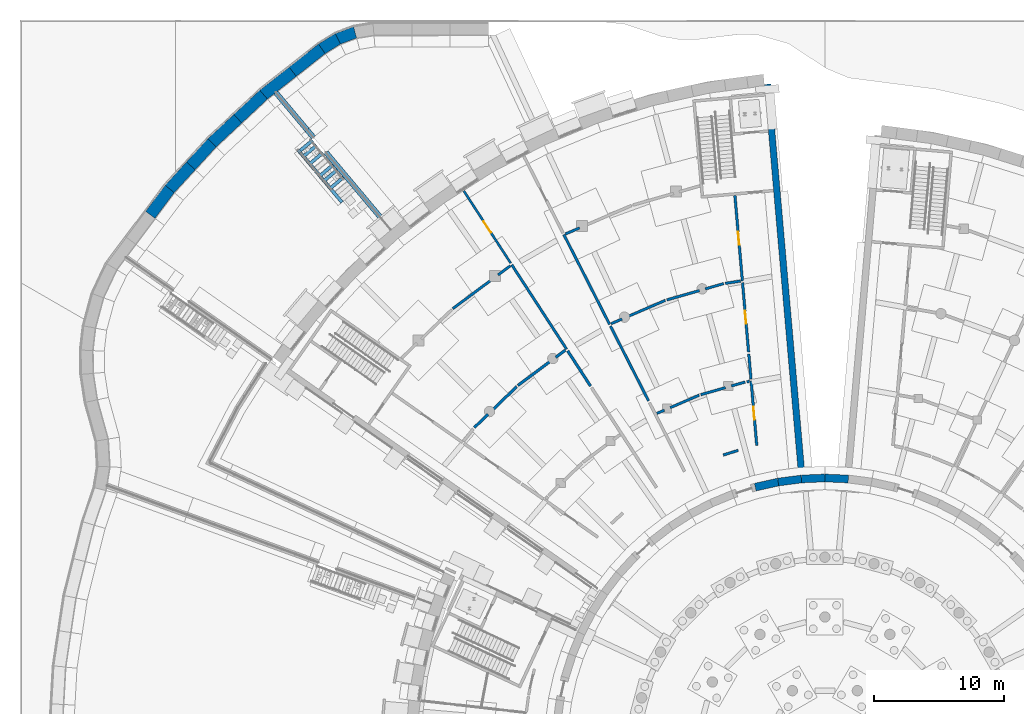
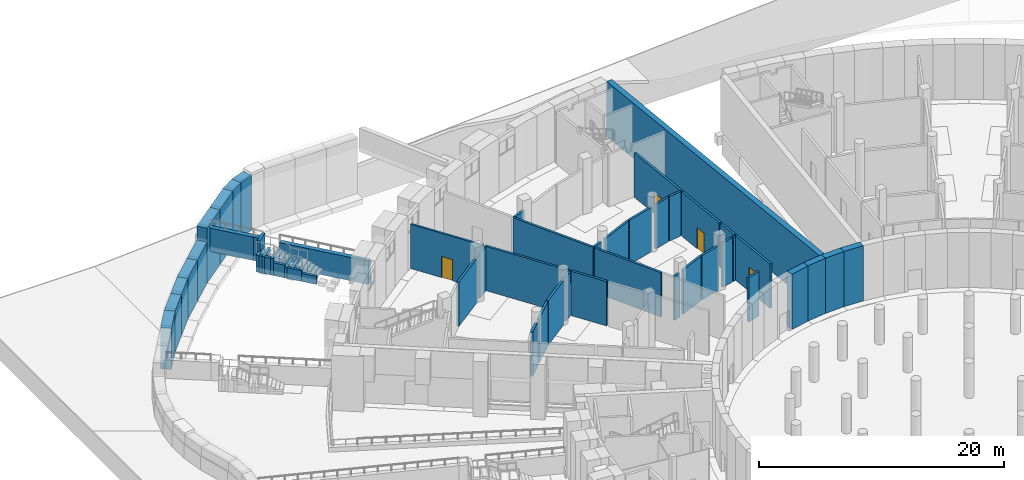
# One storey, part 45 of 65: 55 walls, 4 doors, 4 openings.
"""IFC4 building model written with IfcOpenShell, lengths in metres."""

from ifc_helpers import new_model, si_unit, direction, frame, frame_2d, origin, place, context, subcontext, project, spatial, polyline, rectangle, outline, extrude, material, layer, layer_set, type_object, element, fill, save


model = new_model("IFC4")

# Units and contexts
model_context = context("Model", 3, precision=1e-05, world=origin(), true_north=direction((0.0, 1.0)))
body_context = subcontext(model_context, "Body", "Model", "MODEL_VIEW")
ifc_project = project(units=[si_unit("LENGTHUNIT", "METRE"), si_unit("AREAUNIT", "SQUARE_METRE"), si_unit("VOLUMEUNIT", "CUBIC_METRE"), si_unit("PLANEANGLEUNIT", "RADIAN"), si_unit("MASSUNIT", "GRAM", prefix="KILO")], contexts=[model_context])

# Site, building, storey
site_placement = place(None, origin())
site = spatial("IfcSite", under=ifc_project, at=site_placement, CompositionType="ELEMENT")
building_placement = place(site_placement, origin())
building = spatial("IfcBuilding", under=site, at=building_placement, Name="Volute Hill Aquarium", CompositionType="ELEMENT")
storey_placement = place(building_placement, frame((0.0, 0.0, -5.5)))
storey = spatial("IfcBuildingStorey", under=building, at=storey_placement, Name="L00", CompositionType="ELEMENT", Elevation=-5.5)

# Wall, opening, door
ifc_material_1 = material(Name="Gypsum board on steel studs", Category="steel")
ifc_layer_1 = layer(ifc_material_1, 0.175048828125)
ifc_layer_set_1 = layer_set([ifc_layer_1], Name="Corridor partition 175 EI 60")
wall_type_1 = type_object("IfcWallType", Name="Corridor partition 175 EI 60", PredefinedType="PARTITIONING", material=ifc_layer_set_1)
wall_1_placement = place(storey_placement, frame((-24.181884765625, 37.237060546875, 0.0), z_axis=(0.0, 0.0, 1.0), x_axis=(-0.544656624654, 0.838659144838, 0.0)))
wall_1 = element("IfcWall", 1, at=wall_1_placement, inside=storey, type_object=wall_type_1, Name="pw/S6/L00/005", PredefinedType="PARTITIONING", context=body_context, shape_type="SweptSolid", body=[
    extrude(rectangle(XDim=6.623291015625, YDim=0.175048828125, at=frame_2d((3.3115234375, 0.0))), origin(), (0.0, 0.0, 1.0), 4.409912109375),
])
opening_1_placement = place(wall_1_placement, frame((2.811767578125, 0.0, 0.0)))
opening_1 = element("IfcOpeningElement", 2, at=opening_1_placement, cuts=wall_1, Name="Opening D6.00.08", PredefinedType="OPENING", context=body_context, shape_type="SweptSolid", body=[
    extrude(rectangle(XDim=1.0, YDim=2.10009765625, at=frame_2d((0.5, 1.050048828125))), frame((0.0, 0.097412109375, 0.0), z_axis=(0.0, -1.0, 0.0), x_axis=(1.0, 0.0, 0.0)), (0.0, 0.0, 1.0), 0.195068359375),
])
ifc_material_2 = material(Name="Timber, fire-rated", Category="wood")
door_type_1 = type_object("IfcDoorType", Name="Door 1000 x 2100 single EI1 30", OperationType="SINGLE_SWING_LEFT", PredefinedType="DOOR", material=ifc_material_2)
door_1_placement = place(opening_1_placement, origin())
door_1 = element("IfcDoor", 3, at=door_1_placement, inside=storey, type_object=door_type_1, Name="d/S6/L00/08", OperationType="SINGLE_SWING_RIGHT", OverallHeight=2.10009765625, OverallWidth=1.0, PredefinedType="DOOR", context=body_context, shape_type="SweptSolid", body=[
    extrude(rectangle(XDim=1.0, YDim=2.10009765625, at=frame_2d((0.5, 1.050048828125))), frame((0.0, 0.02490234375, 0.0), z_axis=(0.0, -1.0, 0.0), x_axis=(1.0, 0.0, 0.0)), (0.0, 0.0, 1.0), 0.050048828125),
])
fill(opening_1, door_1)

# Walls
ifc_material_3 = material(Name="Concrete C35/45", Category="concrete")
ifc_layer_2 = layer(ifc_material_3, 0.60009765625)
ifc_layer_set_2 = layer_set([ifc_layer_2], Name="Drum wall C35/45 600")
wall_type_2 = type_object("IfcWallType", Name="Drum wall C35/45 600", PredefinedType="SHEAR", material=ifc_layer_set_2)
for number, where, z_axis, x_axis, name in (
    (4, (1.80419921875, 20.62109375, 0.0), (0.0, 0.0, 1.0), (-0.999046184291, 0.043666024022, 0.0), "sw/DR/L00/17"),
    (5, (0.0, 20.699951171875, 0.0), (0.0, 0.0, 1.0), (-0.999046184291, -0.043666024022, 0.0), "sw/DR/L00/18"),
):
    element("IfcWall", number, at=place(storey_placement, frame(where, z_axis=z_axis, x_axis=x_axis)), inside=storey, type_object=wall_type_2, Name=name, PredefinedType="SHEAR", context=body_context, shape_type="SweptSolid", body=[
        extrude(rectangle(XDim=1.805908203125, YDim=0.60009765625, at=frame_2d((0.90283203125, 0.0))), origin(), (0.0, 0.0, 1.0), 5.5),
    ])
wall_2_placement = place(storey_placement, frame((-1.80419921875, 20.62109375, 0.0), z_axis=(0.0, 0.0, 1.0), x_axis=(-0.991451994433, -0.130471999813, 0.0)))
element("IfcWall", 6, at=wall_2_placement, inside=storey, type_object=wall_type_2, Name="sw/DR/L00/19", PredefinedType="SHEAR", context=body_context, shape_type="SweptSolid", body=[
    extrude(rectangle(XDim=1.8056640625, YDim=0.60009765625, at=frame_2d((0.90283203125, 0.0))), origin(), (0.0, 0.0, 1.0), 5.5),
])
wall_3_placement = place(storey_placement, frame((-3.594482421875, 20.385498046875, 0.0), z_axis=(0.0, 0.0, 1.0), x_axis=(-0.976298259567, -0.216429453554, 0.0)))
element("IfcWall", 7, at=wall_3_placement, inside=storey, type_object=wall_type_2, Name="sw/DR/L00/20", PredefinedType="SHEAR", context=body_context, shape_type="SweptSolid", body=[
    extrude(rectangle(XDim=1.805908203125, YDim=0.60009765625, at=frame_2d((0.90283203125, 0.0))), origin(), (0.0, 0.0, 1.0), 5.5),
])
ifc_material_4 = material(Name="Concrete C35/45", Category="concrete")
ifc_layer_3 = layer(ifc_material_4, 0.5)
ifc_layer_set_3 = layer_set([ifc_layer_3], Name="End wall 500 C35/45")
wall_type_3 = type_object("IfcWallType", Name="End wall 500 C35/45", PredefinedType="SHEAR", material=ifc_layer_set_3)
wall_4_placement = place(storey_placement, frame((-1.771728515625, 20.82470703125, 0.0), z_axis=(0.0, 0.0, 1.0), x_axis=(-0.087157054987, 0.996194583285, 0.0)))
element("IfcWall", 8, at=wall_4_placement, inside=storey, type_object=wall_type_3, Name="sw/S6/L00/endA", PredefinedType="SHEAR", context=body_context, shape_type="SweptSolid", body=[
    extrude(rectangle(XDim=30.300048828125, YDim=0.5, at=frame_2d((15.14990234375, 0.0))), origin(), (0.0, 0.0, 1.0), 5.5),
])
ifc_material_5 = material(Name="Masonry blockwork", Category="masonry")
ifc_layer_4 = layer(ifc_material_5, 0.199951171875)
ifc_layer_set_4 = layer_set([ifc_layer_4], Name="Fire partition 200 EI 60")
wall_type_4 = type_object("IfcWallType", Name="Fire partition 200 EI 60", PredefinedType="PARTITIONING", material=ifc_layer_set_4)
wall_5_placement = place(storey_placement, frame((-19.87939453125, 30.611572265625, 0.0), z_axis=(0.0, 0.0, 1.0), x_axis=(-0.544649472572, 0.838663789624, 0.0)))
element("IfcWall", 9, at=wall_5_placement, inside=storey, type_object=wall_type_4, Name="pw/S6/L00/002", PredefinedType="PARTITIONING", context=body_context, shape_type="SweptSolid", body=[
    extrude(rectangle(XDim=7.749755859375, YDim=0.199951171875, at=frame_2d((3.875, 0.0))), origin(), (0.0, 0.0, 1.0), 4.409912109375),
])
wall_6_placement = place(storey_placement, frame((-20.089111328125, 39.427001953125, 0.0), z_axis=(0.0, 0.0, 1.0), x_axis=(0.454005059644, -0.890999105397, 0.0)))
element("IfcWall", 10, at=wall_6_placement, inside=storey, type_object=wall_type_4, Name="pw/S6/L00/003", PredefinedType="PARTITIONING", context=body_context, shape_type="SweptSolid", body=[
    extrude(rectangle(XDim=7.75, YDim=0.199951171875, at=frame_2d((3.875, 0.0))), origin(), (0.0, 0.0, 1.0), 4.409912109375),
])
wall_7_placement = place(storey_placement, frame((-13.56884765625, 26.630615234375, 0.0), z_axis=(0.0, 0.0, 1.0), x_axis=(-0.454031618181, 0.890985572101, 0.0)))
element("IfcWall", 11, at=wall_7_placement, inside=storey, type_object=wall_type_4, Name="pw/S6/L00/006", PredefinedType="PARTITIONING", context=body_context, shape_type="SweptSolid", body=[
    extrude(rectangle(XDim=6.461669921875, YDim=0.199951171875, at=frame_2d((3.23095703125, 0.0))), origin(), (0.0, 0.0, 1.0), 4.409912109375),
])

# Wall, opening, door
wall_8_placement = place(storey_placement, frame((-6.35107421875, 35.8779296875, 0.0), z_axis=(0.0, 0.0, 1.0), x_axis=(-0.087183992952, 0.996192226115, 0.0)))
wall_8 = element("IfcWall", 12, at=wall_8_placement, inside=storey, type_object=wall_type_4, Name="pw/S6/L00/008", PredefinedType="PARTITIONING", context=body_context, shape_type="SweptSolid", body=[
    extrude(rectangle(XDim=6.5751953125, YDim=0.199951171875, at=frame_2d((3.28759765625, 0.0))), origin(), (0.0, 0.0, 1.0), 4.409912109375),
])
opening_2_placement = place(wall_8_placement, frame((2.78759765625, 0.0, 0.0)))
opening_2 = element("IfcOpeningElement", 13, at=opening_2_placement, cuts=wall_8, Name="Opening D6.00.03", PredefinedType="OPENING", context=body_context, shape_type="SweptSolid", body=[
    extrude(rectangle(XDim=1.0, YDim=2.10009765625, at=frame_2d((0.5, 1.050048828125))), frame((0.0, 0.10986328125, 0.0), z_axis=(0.0, -1.0, 0.0), x_axis=(1.0, 0.0, 0.0)), (0.0, 0.0, 1.0), 0.219970703125),
])
door_2_placement = place(opening_2_placement, origin())
door_2 = element("IfcDoor", 14, at=door_2_placement, inside=storey, type_object=door_type_1, Name="d/S6/L00/03", OperationType="SINGLE_SWING_LEFT", OverallHeight=2.10009765625, OverallWidth=1.0, PredefinedType="DOOR", context=body_context, shape_type="SweptSolid", body=[
    extrude(rectangle(XDim=1.0, YDim=2.10009765625, at=frame_2d((0.5, 1.050048828125))), frame((0.0, 0.02490234375, 0.0), z_axis=(0.0, -1.0, 0.0), x_axis=(1.0, 0.0, 0.0)), (0.0, 0.0, 1.0), 0.050048828125),
])
fill(opening_2, door_2)

wall_9_placement = place(storey_placement, frame((-5.87158203125, 30.396728515625, 0.0), z_axis=(0.0, 0.0, 1.0), x_axis=(-0.087125642308, 0.996197331081, 0.0)))
wall_9 = element("IfcWall", 15, at=wall_9_placement, inside=storey, type_object=wall_type_4, Name="pw/S6/L00/010", PredefinedType="PARTITIONING", context=body_context, shape_type="SweptSolid", body=[
    extrude(rectangle(XDim=5.35205078125, YDim=0.199951171875, at=frame_2d((2.676025390625, 0.0))), origin(), (0.0, 0.0, 1.0), 4.409912109375),
])
opening_3_placement = place(wall_9_placement, frame((2.176025390625, 0.0, 0.0)))
opening_3 = element("IfcOpeningElement", 16, at=opening_3_placement, cuts=wall_9, Name="Opening D6.00.02", PredefinedType="OPENING", context=body_context, shape_type="SweptSolid", body=[
    extrude(rectangle(XDim=1.0, YDim=2.10009765625, at=frame_2d((0.5, 1.050048828125))), frame((0.0, 0.10986328125, 0.0), z_axis=(0.0, -1.0, 0.0), x_axis=(1.0, 0.0, 0.0)), (0.0, 0.0, 1.0), 0.219970703125),
])
door_3_placement = place(opening_3_placement, origin())
door_3 = element("IfcDoor", 17, at=door_3_placement, inside=storey, type_object=door_type_1, Name="d/S6/L00/02", OperationType="SINGLE_SWING_RIGHT", OverallHeight=2.10009765625, OverallWidth=1.0, PredefinedType="DOOR", context=body_context, shape_type="SweptSolid", body=[
    extrude(rectangle(XDim=1.0, YDim=2.10009765625, at=frame_2d((0.5, 1.050048828125))), frame((0.0, 0.02490234375, 0.0), z_axis=(0.0, -1.0, 0.0), x_axis=(1.0, 0.0, 0.0)), (0.0, 0.0, 1.0), 0.050048828125),
])
fill(opening_3, door_3)

wall_10_placement = place(storey_placement, frame((-5.2421875, 23.202392578125, 0.0), z_axis=(0.0, 0.0, 1.0), x_axis=(-0.087171821309, 0.996193291269, 0.0)))
wall_10 = element("IfcWall", 18, at=wall_10_placement, inside=storey, type_object=wall_type_4, Name="pw/S6/L00/012", PredefinedType="PARTITIONING", context=body_context, shape_type="SweptSolid", body=[
    extrude(rectangle(XDim=4.97412109375, YDim=0.199951171875, at=frame_2d((2.487060546875, 0.0))), origin(), (0.0, 0.0, 1.0), 4.409912109375),
])
opening_4_placement = place(wall_10_placement, frame((1.987060546875, 0.0, 0.0)))
opening_4 = element("IfcOpeningElement", 19, at=opening_4_placement, cuts=wall_10, Name="Opening D6.00.01", PredefinedType="OPENING", context=body_context, shape_type="SweptSolid", body=[
    extrude(rectangle(XDim=1.0, YDim=2.39990234375, at=frame_2d((0.5, 1.199951171875))), frame((0.0, 0.10986328125, 0.0), z_axis=(0.0, -1.0, 0.0), x_axis=(1.0, 0.0, 0.0)), (0.0, 0.0, 1.0), 0.219970703125),
])
ifc_material_6 = material(Name="Steel, fire-rated", Category="steel")
door_type_2 = type_object("IfcDoorType", Name="Door 1000 x 2400 laboratory EI1 30", OperationType="SINGLE_SWING_LEFT", PredefinedType="DOOR", material=ifc_material_6)
door_4_placement = place(opening_4_placement, origin())
door_4 = element("IfcDoor", 20, at=door_4_placement, inside=storey, type_object=door_type_2, Name="d/S6/L00/01", OperationType="SINGLE_SWING_LEFT", OverallHeight=2.39990234375, OverallWidth=1.0, PredefinedType="DOOR", context=body_context, shape_type="SweptSolid", body=[
    extrude(rectangle(XDim=1.0, YDim=2.39990234375, at=frame_2d((0.5, 1.199951171875))), frame((0.0, 0.02490234375, 0.0), z_axis=(0.0, -1.0, 0.0), x_axis=(1.0, 0.0, 0.0)), (0.0, 0.0, 1.0), 0.050048828125),
])
fill(opening_4, door_4)

# Walls
wall_11_placement = place(storey_placement, frame((-28.64013671875, 33.7314453125, 0.0), z_axis=(0.0, 0.0, 1.0), x_axis=(0.802142294319, 0.597132932992, 0.0)))
element("IfcWall", 21, at=wall_11_placement, inside=storey, type_object=wall_type_4, Name="pw/S6/L00/014", PredefinedType="PARTITIONING", context=body_context, shape_type="SweptSolid", body=[
    extrude(rectangle(XDim=3.88818359375, YDim=0.199951171875, at=frame_2d((1.944091796875, 0.0))), origin(), (0.0, 0.0, 1.0), 4.409912109375),
])
wall_12_placement = place(storey_placement, frame((-15.188720703125, 33.117919921875, 0.0), z_axis=(0.0, 0.0, 1.0), x_axis=(0.918224420865, 0.396060491501, 0.0)))
element("IfcWall", 22, at=wall_12_placement, inside=storey, type_object=wall_type_4, Name="pw/S6/L00/019", PredefinedType="PARTITIONING", context=body_context, shape_type="SweptSolid", body=[
    extrude(rectangle(XDim=3.16357421875, YDim=0.199951171875, at=frame_2d((1.581787109375, 0.0))), origin(), (0.0, 0.0, 1.0), 4.409912109375),
])
wall_13_placement = place(storey_placement, frame((-12.1591796875, 34.406494140625, 0.0), z_axis=(0.0, 0.0, 1.0), x_axis=(0.961251857381, 0.275671664633, 0.0)))
element("IfcWall", 23, at=wall_13_placement, inside=storey, type_object=wall_type_4, Name="pw/S6/L00/021", PredefinedType="PARTITIONING", context=body_context, shape_type="SweptSolid", body=[
    extrude(rectangle(XDim=2.61181640625, YDim=0.199951171875, at=frame_2d((1.305908203125, 0.0))), origin(), (0.0, 0.0, 1.0), 4.409912109375),
])
wall_14_placement = place(storey_placement, frame((-11.915771484375, 26.106689453125, 0.0), z_axis=(0.0, 0.0, 1.0), x_axis=(0.918205503365, 0.396104346847, 0.0)))
element("IfcWall", 24, at=wall_14_placement, inside=storey, type_object=wall_type_4, Name="pw/S6/L00/024", PredefinedType="PARTITIONING", context=body_context, shape_type="SweptSolid", body=[
    extrude(rectangle(XDim=2.439453125, YDim=0.199951171875, at=frame_2d((1.2197265625, 0.0))), origin(), (0.0, 0.0, 1.0), 4.409912109375),
])
wall_15_placement = place(storey_placement, frame((-5.688720703125, 28.306884765625, 0.0), z_axis=(0.0, 0.0, 1.0), x_axis=(-0.087110975906, 0.996198613669, 0.0)))
element("IfcWall", 25, at=wall_15_placement, inside=storey, type_object=wall_type_4, Name="pw/S6/L00/026", PredefinedType="PARTITIONING", context=body_context, shape_type="SweptSolid", body=[
    extrude(rectangle(XDim=1.94775390625, YDim=0.199951171875, at=frame_2d((0.973876953125, 0.0))), origin(), (0.0, 0.0, 1.0), 4.409912109375),
])
wall_16_placement = place(storey_placement, frame((-9.55078125, 27.108642578125, 0.0), z_axis=(0.0, 0.0, 1.0), x_axis=(0.961262549372, 0.275634379522, 0.0)))
element("IfcWall", 26, at=wall_16_placement, inside=storey, type_object=wall_type_4, Name="pw/S6/L00/028", PredefinedType="PARTITIONING", context=body_context, shape_type="SweptSolid", body=[
    extrude(rectangle(XDim=1.97705078125, YDim=0.199951171875, at=frame_2d((0.988525390625, 0.0))), origin(), (0.0, 0.0, 1.0), 4.409912109375),
])
wall_17_placement = place(storey_placement, frame((-9.20703125, 35.253173828125, 0.0), z_axis=(0.0, 0.0, 1.0), x_axis=(0.961253533644, 0.275665819531, 0.0)))
element("IfcWall", 27, at=wall_17_placement, inside=storey, type_object=wall_type_4, Name="pw/S6/L00/034", PredefinedType="PARTITIONING", context=body_context, shape_type="SweptSolid", body=[
    extrude(rectangle(XDim=1.467529296875, YDim=0.199951171875, at=frame_2d((0.73388671875, 0.0))), origin(), (0.0, 0.0, 1.0), 4.409912109375),
])
wall_18_placement = place(storey_placement, frame((-7.66796875, 35.67724609375, 0.0), z_axis=(0.0, 0.0, 1.0), x_axis=(0.988577425712, 0.150713879161, 0.0)))
element("IfcWall", 28, at=wall_18_placement, inside=storey, type_object=wall_type_4, Name="pw/S6/L00/035", PredefinedType="PARTITIONING", context=body_context, shape_type="SweptSolid", body=[
    extrude(rectangle(XDim=1.201904296875, YDim=0.199951171875, at=frame_2d((0.60107421875, 0.0))), origin(), (0.0, 0.0, 1.0), 4.409912109375),
])
wall_19_placement = place(storey_placement, frame((-25.154296875, 36.326416015625, 0.0), z_axis=(0.0, 0.0, 1.0), x_axis=(0.802122965633, 0.59715889678, 0.0)))
element("IfcWall", 29, at=wall_19_placement, inside=storey, type_object=wall_type_4, Name="pw/S6/L00/037", PredefinedType="PARTITIONING", context=body_context, shape_type="SweptSolid", body=[
    extrude(rectangle(XDim=1.18408203125, YDim=0.199951171875, at=frame_2d((0.592041015625, 0.0))), origin(), (0.0, 0.0, 1.0), 4.409912109375),
])
wall_20_placement = place(storey_placement, frame((-19.969482421875, 39.478515625, 0.0), z_axis=(0.0, 0.0, 1.0), x_axis=(0.918171498253, 0.396183164453, 0.0)))
element("IfcWall", 30, at=wall_20_placement, inside=storey, type_object=wall_type_4, Name="pw/S6/L00/038", PredefinedType="PARTITIONING", context=body_context, shape_type="SweptSolid", body=[
    extrude(rectangle(XDim=1.183837890625, YDim=0.199951171875, at=frame_2d((0.591796875, 0.0))), origin(), (0.0, 0.0, 1.0), 4.409912109375),
])
wall_21_placement = place(storey_placement, frame((-7.819580078125, 22.4658203125, 0.0), z_axis=(0.0, 0.0, 1.0), x_axis=(0.953765647502, 0.300551309505, 0.0)))
element("IfcWall", 31, at=wall_21_placement, inside=storey, type_object=wall_type_4, Name="pw/S6/L00/040", PredefinedType="PARTITIONING", context=body_context, shape_type="SweptSolid", body=[
    extrude(rectangle(XDim=1.208740234375, YDim=0.199951171875, at=frame_2d((0.6044921875, 0.0))), origin(), (0.0, 0.0, 1.0), 4.409912109375),
])
wall_22_placement = place(storey_placement, frame((-7.20166015625, 27.782470703125, 0.0), z_axis=(0.0, 0.0, 1.0), x_axis=(0.96129815515, 0.275510175682, 0.0)))
element("IfcWall", 32, at=wall_22_placement, inside=storey, type_object=wall_type_4, Name="pw/S6/L00/041", PredefinedType="PARTITIONING", context=body_context, shape_type="SweptSolid", body=[
    extrude(rectangle(XDim=1.103271484375, YDim=0.199951171875, at=frame_2d((0.5517578125, 0.0))), origin(), (0.0, 0.0, 1.0), 4.409912109375),
])
wall_23_placement = place(storey_placement, frame((-16.451171875, 32.5732421875, 0.0), z_axis=(0.0, 0.0, 1.0), x_axis=(0.918171037995, 0.396184231119, 0.0)))
element("IfcWall", 33, at=wall_23_placement, inside=storey, type_object=wall_type_4, Name="pw/S6/L00/043", PredefinedType="PARTITIONING", context=body_context, shape_type="SweptSolid", body=[
    extrude(rectangle(XDim=0.91015625, YDim=0.199951171875, at=frame_2d((0.455078125, 0.0))), origin(), (0.0, 0.0, 1.0), 4.409912109375),
])
wall_24_placement = place(storey_placement, frame((-12.932861328125, 25.66796875, 0.0), z_axis=(0.0, 0.0, 1.0), x_axis=(0.918290455345, 0.395907362425, 0.0)))
element("IfcWall", 34, at=wall_24_placement, inside=storey, type_object=wall_type_4, Name="pw/S6/L00/046", PredefinedType="PARTITIONING", context=body_context, shape_type="SweptSolid", body=[
    extrude(rectangle(XDim=0.636962890625, YDim=0.199951171875, at=frame_2d((0.318359375, 0.0))), origin(), (0.0, 0.0, 1.0), 4.409912109375),
])
wall_25_placement = place(storey_placement, frame((-6.012451171875, 28.106201171875, 0.0), z_axis=(0.0, 0.0, 1.0), x_axis=(0.988757087339, 0.149530673232, 0.0)))
element("IfcWall", 35, at=wall_25_placement, inside=storey, type_object=wall_type_4, Name="pw/S6/L00/047", PredefinedType="PARTITIONING", context=body_context, shape_type="SweptSolid", body=[
    extrude(rectangle(XDim=0.210693359375, YDim=0.199951171875, at=frame_2d((0.10546875, 0.0))), origin(), (0.0, 0.0, 1.0), 4.409912109375),
])
ifc_material_7 = material(Name="Masonry blockwork", Category="masonry")
ifc_layer_5 = layer(ifc_material_7, 0.215087890625)
ifc_layer_set_5 = layer_set([ifc_layer_5], Name="Plant room wall 215 EI 60")
wall_type_5 = type_object("IfcWallType", Name="Plant room wall 215 EI 60", PredefinedType="PARTITIONING", material=ifc_layer_set_5)
wall_26_placement = place(storey_placement, frame((-19.797607421875, 30.485595703125, 0.0), z_axis=(0.0, 0.0, 1.0), x_axis=(0.544664723854, -0.838653884859, 0.0)))
element("IfcWall", 36, at=wall_26_placement, inside=storey, type_object=wall_type_5, Name="pw/S6/L00/016", PredefinedType="PARTITIONING", context=body_context, shape_type="SweptSolid", body=[
    extrude(rectangle(XDim=3.2353515625, YDim=0.215087890625, at=frame_2d((1.61767578125, 0.0))), origin(), (0.0, 0.0, 1.0), 4.409912109375),
])
wall_27_placement = place(storey_placement, frame((-23.6240234375, 27.82373046875, 0.0), z_axis=(0.0, 0.0, 1.0), x_axis=(0.802134350782, 0.597143603579, 0.0)))
element("IfcWall", 37, at=wall_27_placement, inside=storey, type_object=wall_type_5, Name="pw/S6/L00/020", PredefinedType="PARTITIONING", context=body_context, shape_type="SweptSolid", body=[
    extrude(rectangle(XDim=3.163330078125, YDim=0.215087890625, at=frame_2d((1.58154296875, 0.0))), origin(), (0.0, 0.0, 1.0), 4.409912109375),
])
wall_28_placement = place(storey_placement, frame((-25.59619140625, 25.919189453125, 0.0), z_axis=(0.0, 0.0, 1.0), x_axis=(0.719327150523, 0.694671469488, 0.0)))
element("IfcWall", 38, at=wall_28_placement, inside=storey, type_object=wall_type_5, Name="pw/S6/L00/022", PredefinedType="PARTITIONING", context=body_context, shape_type="SweptSolid", body=[
    extrude(rectangle(XDim=2.604248046875, YDim=0.215087890625, at=frame_2d((1.30224609375, 0.0))), origin(), (0.0, 0.0, 1.0), 4.409912109375),
])
wall_29_placement = place(storey_placement, frame((-26.982177734375, 24.580810546875, 0.0), z_axis=(0.0, 0.0, 1.0), x_axis=(0.719392860406, 0.694603420951, 0.0)))
element("IfcWall", 39, at=wall_29_placement, inside=storey, type_object=wall_type_5, Name="pw/S6/L00/033", PredefinedType="PARTITIONING", context=body_context, shape_type="SweptSolid", body=[
    extrude(rectangle(XDim=1.467529296875, YDim=0.215087890625, at=frame_2d((0.73388671875, 0.0))), origin(), (0.0, 0.0, 1.0), 4.409912109375),
])
wall_30_placement = place(storey_placement, frame((-20.713623046875, 29.990478515625, 0.0), z_axis=(0.0, 0.0, 1.0), x_axis=(0.802248163476, 0.596990690212, 0.0)))
element("IfcWall", 40, at=wall_30_placement, inside=storey, type_object=wall_type_5, Name="pw/S6/L00/044", PredefinedType="PARTITIONING", context=body_context, shape_type="SweptSolid", body=[
    extrude(rectangle(XDim=0.909912109375, YDim=0.215087890625, at=frame_2d((0.455078125, 0.0))), origin(), (0.0, 0.0, 1.0), 4.409912109375),
])
ifc_material_8 = material(Name="Concrete C30/37", Category="concrete")
ifc_layer_6 = layer(ifc_material_8, 0.39990234375)
ifc_layer_set_6 = layer_set([ifc_layer_6], Name="Retaining wall C30/37 400")
wall_type_6 = type_object("IfcWallType", Name="Retaining wall C30/37 400", PredefinedType="SOLIDWALL", material=ifc_layer_set_6)
wall_31_placement = place(storey_placement, frame((-33.425048828125, 39.834228515625, 2.25), z_axis=(0.0, 0.0, 1.0), x_axis=(-0.642780693488, 0.766050246445, 0.0)))
element("IfcWall", 41, at=wall_31_placement, inside=storey, type_object=wall_type_6, Name="rw/130/L00/0", PredefinedType="SOLIDWALL", context=body_context, shape_type="SweptSolid", body=[
    extrude(rectangle(XDim=7.739990234375, YDim=0.39990234375, at=frame_2d((3.8701171875, 0.0))), origin(), (0.0, 0.0, 1.0), 2.324951171875),
])
wall_32_placement = place(storey_placement, frame((-39.3642578125, 46.91259765625, 2.25), z_axis=(0.0, 0.0, 1.0), x_axis=(-0.642739991173, 0.766084397275, 0.0)))
element("IfcWall", 42, at=wall_32_placement, inside=storey, type_object=wall_type_6, Name="rw/130/L00/1", PredefinedType="SOLIDWALL", context=body_context, shape_type="SweptSolid", body=[
    extrude(rectangle(XDim=0.760009765625, YDim=0.39990234375, at=frame_2d((0.3798828125, 0.0))), origin(), (0.0, 0.0, 1.0), 2.324951171875),
])
wall_33_placement = place(storey_placement, frame((0.0, 0.0, 2.25)))
element("IfcWall", 43, at=wall_33_placement, inside=storey, type_object=wall_type_6, Name="rw/130/L00/2", PredefinedType="SOLIDWALL", context=body_context, shape_type="SweptSolid", body=[
    extrude(outline(polyline([(-40.006103515625, 47.3662109375), (-39.69970703125, 47.623291015625), (-42.107177734375, 50.49267578125), (-42.421630859375, 50.2451171875), (-40.006103515625, 47.3662109375)])), origin(), (0.0, 0.0, 1.0), 2.324951171875),
])
ifc_material_9 = material(Name="Concrete C30/37", Category="concrete")
ifc_layer_7 = layer(ifc_material_9, 0.89990234375)
ifc_layer_set_7 = layer_set([ifc_layer_7], Name="Site edge retaining wall C30/37 900")
wall_type_7 = type_object("IfcWallType", Name="Site edge retaining wall C30/37 900", PredefinedType="SOLIDWALL", material=ifc_layer_set_7)
wall_34_placement = place(storey_placement, frame((0.0, 0.0, -0.5)))
element("IfcWall", 44, at=wall_34_placement, inside=storey, type_object=wall_type_7, Name="rw/E79FA3/L00/0", PredefinedType="SOLIDWALL", context=body_context, shape_type="SweptSolid", body=[
    extrude(outline(polyline([(-36.2744140625, 55.436279296875), (-37.68701171875, 54.904541015625), (-37.286865234375, 54.093505859375), (-36.04052734375, 54.562744140625), (-36.2744140625, 55.436279296875), (-36.2744140625, 55.436279296875)])), origin(), (0.0, 0.0, 1.0), 5.47509765625),
])
wall_35_placement = place(storey_placement, frame((0.0, 0.0, -0.5)))
element("IfcWall", 45, at=wall_35_placement, inside=storey, type_object=wall_type_7, Name="rw/E80FA3/L00/0", PredefinedType="SOLIDWALL", context=body_context, shape_type="SweptSolid", body=[
    extrude(outline(polyline([(-37.68701171875, 54.904541015625), (-38.9794921875, 54.100830078125), (-38.4619140625, 53.36279296875), (-38.4619140625, 53.36279296875), (-37.286865234375, 54.093505859375), (-37.286865234375, 54.093505859375), (-37.68701171875, 54.904541015625)])), origin(), (0.0, 0.0, 1.0), 5.47509765625),
])
wall_36_placement = place(storey_placement, frame((0.0, 0.0, -0.5)))
element("IfcWall", 46, at=wall_36_placement, inside=storey, type_object=wall_type_7, Name="rw/E81FA3/L00/0", PredefinedType="SOLIDWALL", context=body_context, shape_type="SweptSolid", body=[
    extrude(outline(polyline([(-38.9794921875, 54.100830078125), (-41.238037109375, 52.322509765625), (-40.681396484375, 51.615234375), (-38.4619140625, 53.36279296875), (-38.9794921875, 54.100830078125)])), origin(), (0.0, 0.0, 1.0), 5.47509765625),
])
wall_37_placement = place(storey_placement, frame((0.0, 0.0, -0.5)))
element("IfcWall", 47, at=wall_37_placement, inside=storey, type_object=wall_type_7, Name="rw/E81FA3/L00/1", PredefinedType="SOLIDWALL", context=body_context, shape_type="SweptSolid", body=[
    extrude(outline(polyline([(-41.238037109375, 52.322509765625), (-43.491943359375, 50.5478515625), (-42.905517578125, 49.864013671875), (-40.681396484375, 51.615234375), (-41.238037109375, 52.322509765625)])), origin(), (0.0, 0.0, 1.0), 5.47509765625),
])
wall_38_placement = place(storey_placement, frame((0.0, 0.0, -0.5)))
element("IfcWall", 48, at=wall_38_placement, inside=storey, type_object=wall_type_7, Name="rw/E82FA2/L00/0", PredefinedType="SOLIDWALL", context=body_context, shape_type="SweptSolid", body=[
    extrude(outline(polyline([(-43.491943359375, 50.5478515625), (-45.492431640625, 48.68115234375), (-44.87841796875, 48.023193359375), (-42.905517578125, 49.864013671875), (-42.905517578125, 49.864013671875), (-43.491943359375, 50.5478515625), (-43.491943359375, 50.5478515625)])), origin(), (0.0, 0.0, 1.0), 4.10009765625),
])
wall_39_placement = place(storey_placement, frame((0.0, 0.0, -0.5)))
element("IfcWall", 49, at=wall_39_placement, inside=storey, type_object=wall_type_7, Name="rw/E82FA2/L00/1", PredefinedType="SOLIDWALL", context=body_context, shape_type="SweptSolid", body=[
    extrude(outline(polyline([(-47.4921875, 46.8154296875), (-47.4921875, 46.8154296875), (-46.852294921875, 46.181396484375), (-46.852294921875, 46.181396484375), (-44.87841796875, 48.023193359375), (-45.492431640625, 48.68115234375), (-47.4921875, 46.8154296875)])), origin(), (0.0, 0.0, 1.0), 4.10009765625),
])
wall_40_placement = place(storey_placement, frame((0.0, 0.0, -0.5)))
element("IfcWall", 50, at=wall_40_placement, inside=storey, type_object=wall_type_7, Name="rw/E83FA2/L00/0", PredefinedType="SOLIDWALL", context=body_context, shape_type="SweptSolid", body=[
    extrude(outline(polyline([(-47.4921875, 46.8154296875), (-49.1318359375, 45.026123046875), (-48.46826171875, 44.41796875), (-46.852294921875, 46.181396484375), (-47.4921875, 46.8154296875)])), origin(), (0.0, 0.0, 1.0), 4.10009765625),
])
wall_41_placement = place(storey_placement, frame((0.0, 0.0, -0.5)))
element("IfcWall", 51, at=wall_41_placement, inside=storey, type_object=wall_type_7, Name="rw/E83FA2/L00/1", PredefinedType="SOLIDWALL", context=body_context, shape_type="SweptSolid", body=[
    extrude(outline(polyline([(-50.7744140625, 43.2333984375), (-50.7744140625, 43.2333984375), (-50.080810546875, 42.658203125), (-48.46826171875, 44.41796875), (-49.1318359375, 45.026123046875), (-50.7744140625, 43.2333984375)])), origin(), (0.0, 0.0, 1.0), 4.10009765625),
])
wall_42_placement = place(storey_placement, frame((0.0, 0.0, -0.5)))
element("IfcWall", 52, at=wall_42_placement, inside=storey, type_object=wall_type_7, Name="rw/E84FA2/L00/0", PredefinedType="SOLIDWALL", context=body_context, shape_type="SweptSolid", body=[
    extrude(outline(polyline([(-50.7744140625, 43.2333984375), (-52.280029296875, 41.223388671875), (-51.559814453125, 40.683837890625), (-50.080810546875, 42.658203125), (-50.080810546875, 42.658203125), (-50.7744140625, 43.2333984375)])), origin(), (0.0, 0.0, 1.0), 4.10009765625),
])
ifc_material_10 = material(Name="Concrete C30/37", Category="concrete")
ifc_layer_8 = layer(ifc_material_10, 0.25)
ifc_layer_set_8 = layer_set([ifc_layer_8], Name="Stair head parapet C30/37 250")
wall_type_8 = type_object("IfcWallType", Name="Stair head parapet C30/37 250", PredefinedType="SOLIDWALL", material=ifc_layer_set_8)
wall_43_placement = place(storey_placement, frame((-39.437255859375, 46.688232421875, 4.1240234375), z_axis=(0.0, 0.0, 1.0), x_axis=(-0.766065493671, -0.642762521781, 0.0)))
element("IfcWall", 53, at=wall_43_placement, inside=storey, type_object=wall_type_8, Name="sw/ST130/L00/g", PredefinedType="SOLIDWALL", context=body_context, shape_type="SweptSolid", body=[
    extrude(rectangle(XDim=1.199951171875, YDim=0.25, at=frame_2d((0.60009765625, 0.0))), origin(), (0.0, 0.0, 1.0), 1.10107421875),
])
ifc_material_11 = material(Name="Concrete C30/37", Category="concrete")
ifc_layer_9 = layer(ifc_material_11, 0.25)
ifc_layer_set_9 = layer_set([ifc_layer_9], Name="Stair string wall C30/37 250")
wall_type_9 = type_object("IfcWallType", Name="Stair string wall C30/37 250", PredefinedType="SOLIDWALL", material=ifc_layer_set_9)
wall_44_placement = place(storey_placement, frame((-37.164306640625, 41.918212890625, 2.25), z_axis=(0.0, 0.0, 1.0), x_axis=(-0.642807296415, 0.766027923561, 0.0)))
element("IfcWall", 54, at=wall_44_placement, inside=storey, type_object=wall_type_9, Name="sw/ST130/L00/1", PredefinedType="SOLIDWALL", context=body_context, shape_type="SweptSolid", body=[
    extrude(rectangle(XDim=1.280029296875, YDim=0.25, at=frame_2d((0.64013671875, 0.0))), origin(), (0.0, 0.0, 1.0), 0.800048828125),
])
wall_45_placement = place(storey_placement, frame((-37.987060546875, 42.898681640625, 2.25), z_axis=(0.0, 0.0, 1.0), x_axis=(-0.642821801336, 0.766015751618, 0.0)))
element("IfcWall", 55, at=wall_45_placement, inside=storey, type_object=wall_type_9, Name="sw/ST130/L00/2", PredefinedType="SOLIDWALL", context=body_context, shape_type="SweptSolid", body=[
    extrude(rectangle(XDim=1.500244140625, YDim=0.25, at=frame_2d((0.75, 0.0))), origin(), (0.0, 0.0, 1.0), 1.06494140625),
])
wall_46_placement = place(storey_placement, frame((-38.951416015625, 44.0478515625, 2.25), z_axis=(0.0, 0.0, 1.0), x_axis=(-0.642732668366, 0.766090541004, 0.0)))
element("IfcWall", 56, at=wall_46_placement, inside=storey, type_object=wall_type_9, Name="sw/ST130/L00/3", PredefinedType="SOLIDWALL", context=body_context, shape_type="SweptSolid", body=[
    extrude(rectangle(XDim=0.9599609375, YDim=0.25, at=frame_2d((0.47998046875, 0.0))), origin(), (0.0, 0.0, 1.0), 1.263916015625),
])
wall_47_placement = place(storey_placement, frame((-39.568359375, 44.783203125, 2.25), z_axis=(0.0, 0.0, 1.0), x_axis=(-0.64272629393, 0.766095888966, 0.0)))
element("IfcWall", 57, at=wall_47_placement, inside=storey, type_object=wall_type_9, Name="sw/ST130/L00/4", PredefinedType="SOLIDWALL", context=body_context, shape_type="SweptSolid", body=[
    extrude(rectangle(XDim=1.5, YDim=0.25, at=frame_2d((0.75, 0.0))), origin(), (0.0, 0.0, 1.0), 1.676025390625),
])
wall_48_placement = place(storey_placement, frame((-37.052490234375, 43.84619140625, 2.25), z_axis=(0.0, 0.0, 1.0), x_axis=(-0.766049768439, -0.642781263164, 0.0)))
element("IfcWall", 58, at=wall_48_placement, inside=storey, type_object=wall_type_9, Name="sw/ST130/L00/xa", PredefinedType="SOLIDWALL", context=body_context, shape_type="SweptSolid", body=[
    extrude(rectangle(XDim=1.44970703125, YDim=0.25, at=frame_2d((0.724853515625, 0.0))), origin(), (0.0, 0.0, 1.0), 1.06494140625),
])
wall_49_placement = place(storey_placement, frame((-37.85595703125, 44.8037109375, 2.25), z_axis=(0.0, 0.0, 1.0), x_axis=(-0.76603642835, -0.642797161196, 0.0)))
element("IfcWall", 59, at=wall_49_placement, inside=storey, type_object=wall_type_9, Name="sw/ST130/L00/xb", PredefinedType="SOLIDWALL", context=body_context, shape_type="SweptSolid", body=[
    extrude(rectangle(XDim=1.4501953125, YDim=0.25, at=frame_2d((0.72509765625, 0.0))), origin(), (0.0, 0.0, 1.0), 1.06494140625),
])
for number, where, z_axis, x_axis, name in (
    (60, (-38.6337890625, 45.730712890625, 2.25), (0.0, 0.0, 1.0), (-0.765966850669, -0.642880069434, 0.0), "sw/ST130/L00/xc"),
    (61, (-39.437255859375, 46.688232421875, 2.25), (0.0, 0.0, 1.0), (-0.765966850669, -0.642880069434, 0.0), "sw/ST130/L00/xd"),
):
    element("IfcWall", number, at=place(storey_placement, frame(where, z_axis=z_axis, x_axis=x_axis)), inside=storey, type_object=wall_type_9, Name=name, PredefinedType="SOLIDWALL", context=body_context, shape_type="SweptSolid", body=[
        extrude(rectangle(XDim=1.449951171875, YDim=0.25, at=frame_2d((0.72509765625, 0.0))), origin(), (0.0, 0.0, 1.0), 1.676025390625),
    ])
wall_50_placement = place(storey_placement, frame((-37.534423828125, 44.4208984375, 2.25), z_axis=(0.0, 0.0, 1.0), x_axis=(-0.76603642835, -0.642797161196, 0.0)))
element("IfcWall", 62, at=wall_50_placement, inside=storey, type_object=wall_type_9, Name="sw/ST130/L00/xe", PredefinedType="SOLIDWALL", context=body_context, shape_type="SweptSolid", body=[
    extrude(rectangle(XDim=1.4501953125, YDim=0.25, at=frame_2d((0.72509765625, 0.0))), origin(), (0.0, 0.0, 1.0), 1.06494140625),
])
wall_51_placement = place(storey_placement, frame((-39.11572265625, 46.30517578125, 2.25), z_axis=(0.0, 0.0, 1.0), x_axis=(-0.766119332261, -0.642698349723, 0.0)))
element("IfcWall", 63, at=wall_51_placement, inside=storey, type_object=wall_type_9, Name="sw/ST130/L00/xf", PredefinedType="SOLIDWALL", context=body_context, shape_type="SweptSolid", body=[
    extrude(rectangle(XDim=1.449951171875, YDim=0.25, at=frame_2d((0.72509765625, 0.0))), origin(), (0.0, 0.0, 1.0), 1.676025390625),
])

save(model, "model.ifc")
